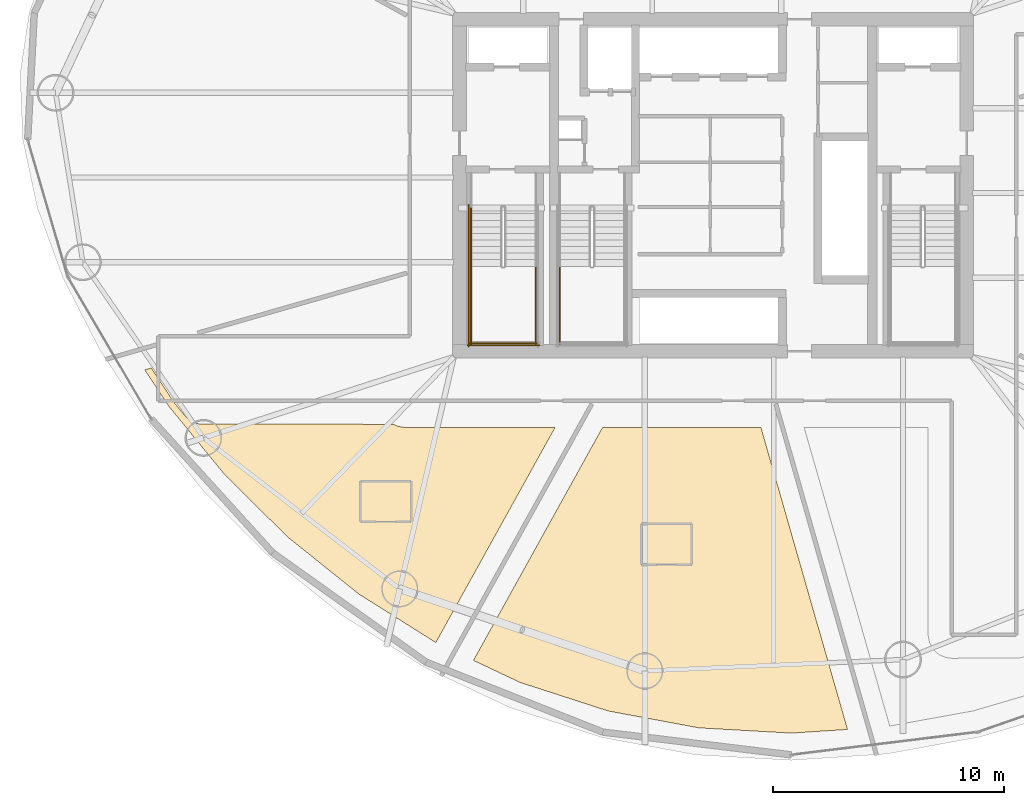
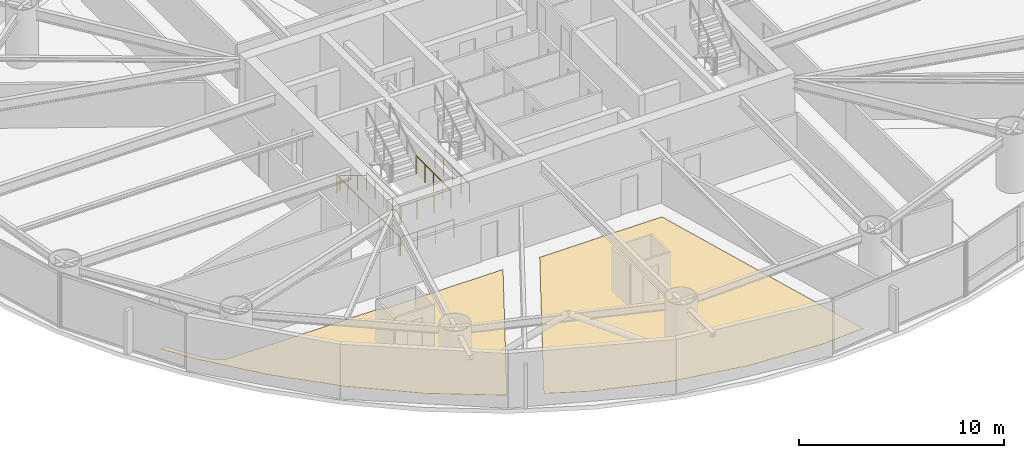
# One storey, part 26 of 30: 7 railings, 2 coverings.
"""IFC4 building model written with IfcOpenShell, lengths in metres."""

from ifc_helpers import new_model, si_unit, direction, frame, origin, origin_2d, place, context, subcontext, project, spatial, polyline, circle, outline, extrude, material, layer, layer_set, type_object, element, save


model = new_model("IFC4")

# Units and contexts
model_context = context("Model", 3, precision=1e-05, world=origin(), true_north=direction((0.0, 1.0)))
body_context = subcontext(model_context, "Body", "Model", "MODEL_VIEW")
ifc_project = project(units=[si_unit("LENGTHUNIT", "METRE"), si_unit("AREAUNIT", "SQUARE_METRE"), si_unit("VOLUMEUNIT", "CUBIC_METRE"), si_unit("PLANEANGLEUNIT", "RADIAN"), si_unit("MASSUNIT", "GRAM", prefix="KILO")], contexts=[model_context])

# Site, building, storey
site_placement = place(None, origin())
site = spatial("IfcSite", under=ifc_project, at=site_placement, CompositionType="ELEMENT")
building_placement = place(site_placement, origin())
building = spatial("IfcBuilding", under=site, at=building_placement, Name="Bramvorn Convention Spire", CompositionType="ELEMENT")
storey_placement = place(building_placement, frame((0.0, 0.0, 90.39990234375)))
storey = spatial("IfcBuildingStorey", under=building, at=storey_placement, Name="L21", CompositionType="ELEMENT", Elevation=90.39990234375)

# Coverings
ifc_material_1 = material(Name="Solution-Dyed Wool Broadloom Hospitality Carpet", Category="textile")
ifc_layer = layer(ifc_material_1, 0.014892578125)
ifc_layer_set = layer_set([ifc_layer], Name="Solution-Dyed Wool Broadloom Hospitality Carpet - FLR-CARPET-15")
covering_type = type_object("IfcCoveringType", Name="FLR-CARPET-15", PredefinedType="FLOORING", material=ifc_layer_set)
covering_1_placement = place(storey_placement, origin())
element("IfcCovering", 1, at=covering_1_placement, inside=storey, type_object=covering_type, Name="Hotel Suite 2105 wool broadloom carpet", PredefinedType="FLOORING", context=body_context, shape_type="SweptSolid", body=[
    extrude(outline(polyline([(25.9736328125, 6.160400390625), (31.150634765625, 15.5), (24.60009765625, 15.5), (24.338623046875, 15.538818359375), (24.13623046875, 15.6298828125), (15.729736328125, 15.640380859375), (15.431640625, 15.73095703125), (15.113037109375, 15.970703125), (14.60791015625, 16.589599609375), (13.626953125, 18.07470703125), (13.3447265625, 17.993896484375), (14.384521484375, 16.41748046875), (16.76806640625, 13.502197265625), (19.5263671875, 10.756591796875), (22.6201171875, 8.273681640625), (25.9736328125, 6.160400390625)])), origin(), (0.0, 0.0, 1.0), 0.01513671875),
])
covering_2_placement = place(storey_placement, origin())
element("IfcCovering", 2, at=covering_2_placement, inside=storey, type_object=covering_type, Name="Hotel Suite 2106 wool broadloom carpet", PredefinedType="FLOORING", context=body_context, shape_type="SweptSolid", body=[
    extrude(outline(polyline([(41.3916015625, 2.233154296875), (43.833251953125, 2.3916015625), (40.07470703125, 15.5), (33.208740234375, 15.5), (27.60302734375, 5.386962890625), (29.631591796875, 4.43017578125), (33.446044921875, 3.19384765625), (37.38818359375, 2.460205078125), (41.3916015625, 2.233154296875)])), origin(), (0.0, 0.0, 1.0), 0.01513671875),
])

# Railings
ifc_material_2 = material(Name="Painted Steel Balustrade & Guardrail", Category="steel")
railing_type_1 = type_object("IfcRailingType", Name="RL-STAIR-GUARD-1100", PredefinedType="GUARDRAIL", material=ifc_material_2)
for number, where, name in (
    (3, (27.5, 22.485107421875, 1.75), "L21 ST1 stair guard 3"),
    (4, (30.300048828125, 22.485107421875, 1.75), "L21 ST1 stair guard 4"),
):
    element("IfcRailing", number, at=place(storey_placement, frame(where)), inside=storey, type_object=railing_type_1, Name=name, PredefinedType="GUARDRAIL", context=body_context, shape_type="SweptSolid", body=[
        extrude(circle(Radius=0.02392578125, at=origin_2d()), frame((0.0, 0.0, 1.076171875), z_axis=(0.0, -1.0, 0.0), x_axis=(1.0, 0.0, 0.0)), (0.0, 0.0, 1.0), 3.385009765625),
        extrude(circle(Radius=0.02099609375, at=origin_2d()), origin(), (0.0, 0.0, 1.0), 1.052001953125),
        extrude(circle(Radius=0.02099609375, at=origin_2d()), frame((0.0, -0.84619140625, 0.0)), (0.0, 0.0, 1.0), 1.052001953125),
        extrude(circle(Radius=0.02099609375, at=origin_2d()), frame((0.0, -1.6923828125, 0.0)), (0.0, 0.0, 1.0), 1.052001953125),
        extrude(circle(Radius=0.02099609375, at=origin_2d()), frame((0.0, -2.538818359375, 0.0)), (0.0, 0.0, 1.0), 1.052001953125),
        extrude(circle(Radius=0.02099609375, at=origin_2d()), frame((0.0, -3.385009765625, 0.0)), (0.0, 0.0, 1.0), 1.052001953125),
    ])
railing_1_placement = place(storey_placement, frame((27.449951171875, 19.14990234375, 1.75)))
element("IfcRailing", 5, at=railing_1_placement, inside=storey, type_object=railing_type_1, Name="L21 ST1 stair guard 5", PredefinedType="GUARDRAIL", context=body_context, shape_type="SweptSolid", body=[
    extrude(circle(Radius=0.02392578125, at=origin_2d()), frame((0.0, 0.0, 1.076171875), z_axis=(1.0, 0.0, 0.0), x_axis=(0.0, 1.0, 0.0)), (0.0, 0.0, 1.0), 2.900146484375),
    extrude(circle(Radius=0.02099609375, at=origin_2d()), origin(), (0.0, 0.0, 1.0), 1.052001953125),
    extrude(circle(Radius=0.02099609375, at=origin_2d()), frame((0.966796875, 0.0, 0.0)), (0.0, 0.0, 1.0), 1.052001953125),
    extrude(circle(Radius=0.02099609375, at=origin_2d()), frame((1.933349609375, 0.0, 0.0)), (0.0, 0.0, 1.0), 1.052001953125),
    extrude(circle(Radius=0.02099609375, at=origin_2d()), frame((2.900146484375, 0.0, 0.0)), (0.0, 0.0, 1.0), 1.052001953125),
])
railing_2_placement = place(storey_placement, frame((27.39990234375, 25.14990234375, 0.0)))
element("IfcRailing", 6, at=railing_2_placement, inside=storey, type_object=railing_type_1, Name="L21 ST1 stair guard 10", PredefinedType="GUARDRAIL", context=body_context, shape_type="SweptSolid", body=[
    extrude(circle(Radius=0.02392578125, at=origin_2d()), frame((0.0, 0.0, 1.076171875), z_axis=(0.0, -1.0, 0.0), x_axis=(1.0, 0.0, 0.0)), (0.0, 0.0, 1.0), 6.14990234375),
    extrude(circle(Radius=0.02099609375, at=origin_2d()), origin(), (0.0, 0.0, 1.0), 1.052001953125),
    extrude(circle(Radius=0.02099609375, at=origin_2d()), frame((0.0, -1.02490234375, 0.0)), (0.0, 0.0, 1.0), 1.052001953125),
    extrude(circle(Radius=0.02099609375, at=origin_2d()), frame((0.0, -2.050048828125, 0.0)), (0.0, 0.0, 1.0), 1.052001953125),
    extrude(circle(Radius=0.02099609375, at=origin_2d()), frame((0.0, -3.074951171875, 0.0)), (0.0, 0.0, 1.0), 1.052001953125),
    extrude(circle(Radius=0.02099609375, at=origin_2d()), frame((0.0, -4.099853515625, 0.0)), (0.0, 0.0, 1.0), 1.052001953125),
    extrude(circle(Radius=0.02099609375, at=origin_2d()), frame((0.0, -5.125, 0.0)), (0.0, 0.0, 1.0), 1.052001953125),
    extrude(circle(Radius=0.02099609375, at=origin_2d()), frame((0.0, -6.14990234375, 0.0)), (0.0, 0.0, 1.0), 1.052001953125),
])
railing_3_placement = place(storey_placement, frame((27.35009765625, 19.050048828125, 0.0)))
element("IfcRailing", 7, at=railing_3_placement, inside=storey, type_object=railing_type_1, Name="L21 ST1 stair guard 12", PredefinedType="GUARDRAIL", context=body_context, shape_type="SweptSolid", body=[
    extrude(circle(Radius=0.02392578125, at=origin_2d()), frame((0.0, 0.0, 1.076171875), z_axis=(1.0, 0.0, 0.0), x_axis=(0.0, 1.0, 0.0)), (0.0, 0.0, 1.0), 3.099853515625),
    extrude(circle(Radius=0.02099609375, at=origin_2d()), origin(), (0.0, 0.0, 1.0), 1.052001953125),
    extrude(circle(Radius=0.02099609375, at=origin_2d()), frame((1.033203125, 0.0, 0.0)), (0.0, 0.0, 1.0), 1.052001953125),
    extrude(circle(Radius=0.02099609375, at=origin_2d()), frame((2.066650390625, 0.0, 0.0)), (0.0, 0.0, 1.0), 1.052001953125),
    extrude(circle(Radius=0.02099609375, at=origin_2d()), frame((3.099853515625, 0.0, 0.0)), (0.0, 0.0, 1.0), 1.052001953125),
])
railing_4_placement = place(storey_placement, frame((31.35009765625, 22.485107421875, 1.75)))
element("IfcRailing", 8, at=railing_4_placement, inside=storey, type_object=railing_type_1, Name="L21 ST3 stair guard 3", PredefinedType="GUARDRAIL", context=body_context, shape_type="SweptSolid", body=[
    extrude(circle(Radius=0.02392578125, at=origin_2d()), frame((0.0, 0.0, 1.076171875), z_axis=(0.0, -1.0, 0.0), x_axis=(1.0, 0.0, 0.0)), (0.0, 0.0, 1.0), 3.385009765625),
    extrude(circle(Radius=0.02099609375, at=origin_2d()), origin(), (0.0, 0.0, 1.0), 1.052001953125),
    extrude(circle(Radius=0.02099609375, at=origin_2d()), frame((0.0, -0.84619140625, 0.0)), (0.0, 0.0, 1.0), 1.052001953125),
    extrude(circle(Radius=0.02099609375, at=origin_2d()), frame((0.0, -1.6923828125, 0.0)), (0.0, 0.0, 1.0), 1.052001953125),
    extrude(circle(Radius=0.02099609375, at=origin_2d()), frame((0.0, -2.538818359375, 0.0)), (0.0, 0.0, 1.0), 1.052001953125),
    extrude(circle(Radius=0.02099609375, at=origin_2d()), frame((0.0, -3.385009765625, 0.0)), (0.0, 0.0, 1.0), 1.052001953125),
])
ifc_material_3 = material(Name="Brushed Bronze Tubular Handrail", Category="aluminium")
railing_type_2 = type_object("IfcRailingType", Name="RL-STAIR-HR-920", PredefinedType="HANDRAIL", material=ifc_material_3)
railing_5_placement = place(storey_placement, frame((27.5, 25.050048828125, 0.175048828125)))
element("IfcRailing", 9, at=railing_5_placement, inside=storey, type_object=railing_type_2, Name="L21 ST1 stair handrail 1", PredefinedType="HANDRAIL", context=body_context, shape_type="SweptSolid", body=[
    extrude(circle(Radius=0.02392578125, at=origin_2d()), frame((0.0, 0.0, 0.89599609375), z_axis=(0.0, -0.852173129349, 0.523259933127), x_axis=(1.0, 0.0, 0.0)), (0.0, 0.0, 1.0), 3.009765625),
    extrude(circle(Radius=0.02099609375, at=origin_2d()), origin(), (0.0, 0.0, 1.0), 0.871826171875),
    extrude(circle(Radius=0.02099609375, at=origin_2d()), frame((0.0, -0.85498046875, 0.52490234375)), (0.0, 0.0, 1.0), 0.871826171875),
    extrude(circle(Radius=0.02099609375, at=origin_2d()), frame((0.0, -1.7099609375, 1.050048828125)), (0.0, 0.0, 1.0), 0.871826171875),
    extrude(circle(Radius=0.02099609375, at=origin_2d()), frame((0.0, -2.56494140625, 1.574951171875)), (0.0, 0.0, 1.0), 0.871826171875),
])

save(model, "model.ifc")
